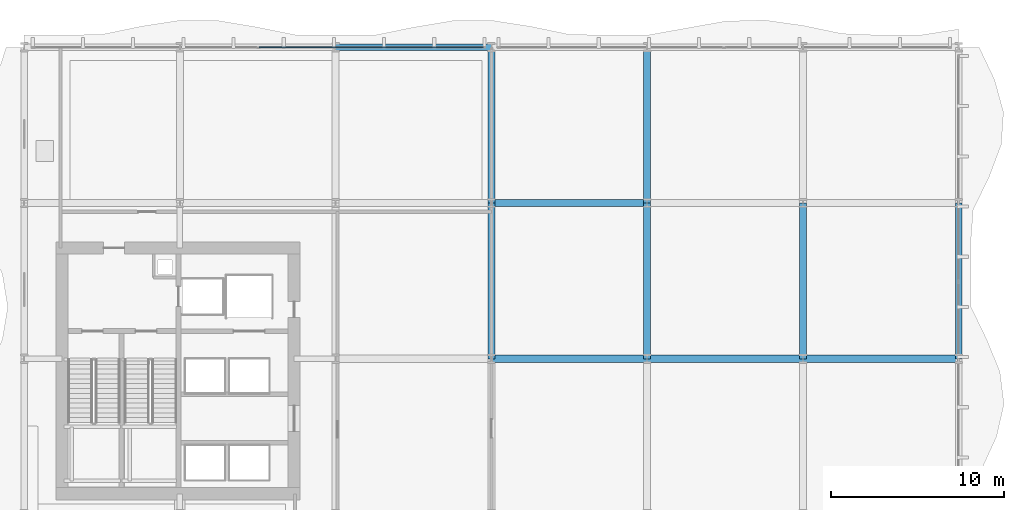
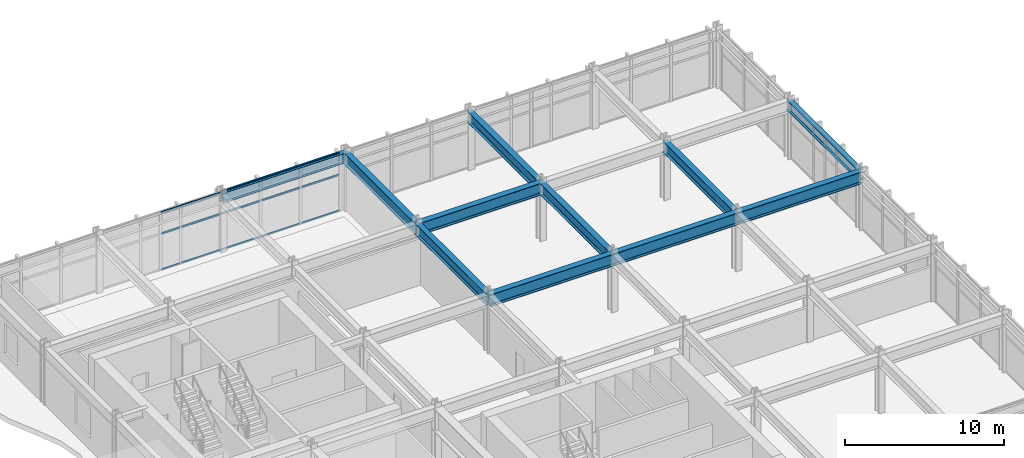
# One storey, part 16 of 31: 11 beams, 3 members, 1 element without a shape of its own.
"""IFC4 building model written with IfcOpenShell, lengths in metres."""

import ifcopenshell
import ifcopenshell.guid

model = None  # the IFC model being written
_history = None  # IfcOwnerHistory: only IFC2X3 demands one
_inside = {}  # id of a spatial element -> (the spatial element, [elements in it])
_under = {}  # id of a project, library or spatial element -> (it, [spatial elements below it])
_declared = {}  # id of a project -> (the project, [libraries it declares])
_typed = {}  # id of a type object -> (the type object, [elements of that type])
_made_of = {}  # id of a material, layer set ... -> (it, [elements and type objects made of it])


def new_model(schema):
    """Start an empty IFC model of exactly this schema.

    Asked for "IFC4X3", IfcOpenShell would pick the latest addendum, in which some entities
    have other attributes; the version numbers below select the first issue.
    IFC2X3 requires an IfcOwnerHistory on every rooted entity: one is made here for all.
    """
    global model, _history
    if schema == "IFC4X3":
        model = ifcopenshell.file(schema_version=(4, 3, 0, 0))
    else:
        model = ifcopenshell.file(schema=schema)
    _inside.clear()
    _under.clear()
    _declared.clear()
    _typed.clear()
    _made_of.clear()
    _history = None
    if model.schema == "IFC2X3":
        org = make("IfcOrganization", Name="unknown")
        user = make(
            "IfcPersonAndOrganization",
            ThePerson=make("IfcPerson", FamilyName="unknown"),
            TheOrganization=org,
        )
        app = make(
            "IfcApplication",
            ApplicationDeveloper=org,
            Version="unknown",
            ApplicationFullName="unknown",
            ApplicationIdentifier="unknown",
        )
        _history = make(
            "IfcOwnerHistory",
            OwningUser=user,
            OwningApplication=app,
            ChangeAction="ADDED",
            CreationDate=0,
        )
    return model


def make(cls, **values):
    """One entity of the class cls with the attributes given. An attribute that is None is left unset."""
    return model.create_entity(
        cls, **{name: value for name, value in values.items() if value is not None}
    )


def rooted(cls, **values):
    """An entity with a GlobalId (a new one), such as an element, a storey or a relation."""
    return make(cls, GlobalId=ifcopenshell.guid.new(), OwnerHistory=_history, **values)


def si_unit(unit_type, name, prefix=None):
    """IfcSIUnit, for example si_unit("LENGTHUNIT", "METRE", prefix="MILLI")."""
    return make("IfcSIUnit", UnitType=unit_type, Prefix=prefix, Name=name)


def assignment(units):
    """IfcUnitAssignment: the units of a project."""
    return None if units is None else make("IfcUnitAssignment", Units=units)


def point(xyz):
    """IfcCartesianPoint."""
    return None if xyz is None else make("IfcCartesianPoint", Coordinates=xyz)


def direction(xyz):
    """IfcDirection."""
    return None if xyz is None else make("IfcDirection", DirectionRatios=xyz)


def frame(location, z_axis=None, x_axis=None):
    """IfcAxis2Placement3D, a coordinate frame: its origin and axes. An axis left out is left unset."""
    return make(
        "IfcAxis2Placement3D",
        Location=point(location),
        Axis=direction(z_axis),
        RefDirection=direction(x_axis),
    )


def frame_2d(location, x_axis=None):
    """IfcAxis2Placement2D, a coordinate frame in the plane: its origin and x axis."""
    return make(
        "IfcAxis2Placement2D", Location=point(location), RefDirection=direction(x_axis)
    )


def origin():
    """The frame at (0, 0, 0) with its axes left unset."""
    return frame((0.0, 0.0, 0.0))


def origin_2d():
    """The frame at (0, 0) in the plane with its x axis left unset."""
    return frame_2d((0.0, 0.0))


def place(relative_to, where):
    """IfcLocalPlacement: puts the frame where relative to a parent placement (None: the world)."""
    return make(
        "IfcLocalPlacement", PlacementRelTo=relative_to, RelativePlacement=where
    )


def context(
    kind, dimensions, precision=None, world=None, true_north=None, identifier=None
):
    """IfcGeometricRepresentationContext, for example the 3D "Model" context."""
    return make(
        "IfcGeometricRepresentationContext",
        ContextIdentifier=identifier,
        ContextType=kind,
        CoordinateSpaceDimension=dimensions,
        Precision=precision,
        WorldCoordinateSystem=world,
        TrueNorth=true_north,
    )


def subcontext(parent, identifier, kind, view, scale=None):
    """IfcGeometricRepresentationSubContext, for example "Body" below "Model"."""
    return make(
        "IfcGeometricRepresentationSubContext",
        ContextIdentifier=identifier,
        ContextType=kind,
        ParentContext=parent,
        TargetScale=scale,
        TargetView=view,
    )


def project(units=None, contexts=None):
    """IfcProject with its units and contexts."""
    return rooted(
        "IfcProject",
        Name="project",
        RepresentationContexts=contexts,
        UnitsInContext=assignment(units),
    )


def spatial(cls, under=None, at=None, **own):
    """A site, building, storey or space (cls), placed at a placement, below another one or the project."""
    s = rooted(cls, ObjectPlacement=at, **own)
    if under is not None:
        _under.setdefault(under.id(), (under, []))[1].append(s)
    return s


def profile(cls, at=None, kind="AREA", **sizes):
    """A parametric profile (cls). Its sizes go by their IFC names, for example OverallWidth=200.0."""
    return make(cls, ProfileType=kind, Position=at, **sizes)


def hollow_rectangle(**sizes):
    """IfcRectangleHollowProfileDef."""
    return profile("IfcRectangleHollowProfileDef", **sizes)


def i_section(**sizes):
    """IfcIShapeProfileDef."""
    return profile("IfcIShapeProfileDef", **sizes)


def extrude(swept, where, along, depth):
    """IfcExtrudedAreaSolid: the profile swept, set in the frame where, extruded along a direction by depth."""
    return make(
        "IfcExtrudedAreaSolid",
        SweptArea=swept,
        Position=where,
        ExtrudedDirection=direction(along),
        Depth=depth,
    )


def shape(context_of_items, identifier, shape_type, items):
    """IfcShapeRepresentation: the items that make up one representation, for example the "Body"."""
    return make(
        "IfcShapeRepresentation",
        ContextOfItems=context_of_items,
        RepresentationIdentifier=identifier,
        RepresentationType=shape_type,
        Items=items,
    )


def material(Name=None, Category=None):
    """IfcMaterial."""
    return make("IfcMaterial", Name=Name, Category=Category)


def layer(
    of_material, thickness, ventilated=None, Name=None, Category=None, Priority=None
):
    """IfcMaterialLayer: one layer of a wall or slab, of a material (None: an air gap)."""
    return make(
        "IfcMaterialLayer",
        Material=of_material,
        LayerThickness=thickness,
        IsVentilated=ventilated,
        Name=Name,
        Category=Category,
        Priority=Priority,
    )


def layer_set(layers, Name=None):
    """IfcMaterialLayerSet."""
    return make("IfcMaterialLayerSet", MaterialLayers=layers, LayerSetName=Name)


def material_profile(
    of_material, cross_section, Name=None, Category=None, Priority=None
):
    """IfcMaterialProfile: a cross section and its material."""
    return make(
        "IfcMaterialProfile",
        Name=Name,
        Material=of_material,
        Profile=cross_section,
        Priority=Priority,
        Category=Category,
    )


def profile_set(profiles, Name=None, composite=None):
    """IfcMaterialProfileSet."""
    return make(
        "IfcMaterialProfileSet",
        Name=Name,
        MaterialProfiles=profiles,
        CompositeProfile=composite,
    )


def made_of(thing, what):
    """Note that an element or type object is made of a material, layer set ...; save() writes the relation."""
    if what is not None:
        _made_of.setdefault(what.id(), (what, []))[1].append(thing)
    return thing


def type_object(cls, material=None, **own):
    """A type object (cls), such as IfcWallType, which elements share."""
    return made_of(rooted(cls, **own), material)


def element(
    cls,
    number,
    at=None,
    inside=None,
    cuts=None,
    type_object=None,
    material=None,
    context=None,
    identifier="Body",
    shape_type=None,
    held_by="IfcProductDefinitionShape",
    body=None,
    shapes=None,
    **own,
):
    """One element of the class cls, such as IfcWall. Its Tag is "e" and its number.

    at: its placement. inside: the storey or other place that contains it. cuts: it is an
    opening in that element (IfcRelVoidsElement). A single representation is given by context,
    identifier, shape_type and body (its items); several are given by shapes. held_by: the class
    of the entity that holds the representations. save() writes the other relations.
    """
    e = rooted(cls, Tag="e%d" % number, ObjectPlacement=at, **own)
    if body is not None:
        shapes = [shape(context, identifier, shape_type, body)]
    if shapes is not None:
        e.Representation = make(held_by, Representations=shapes)
    if inside is not None:
        _inside.setdefault(inside.id(), (inside, []))[1].append(e)
    if cuts is not None:
        rooted(
            "IfcRelVoidsElement", RelatingBuildingElement=cuts, RelatedOpeningElement=e
        )
    if type_object is not None:
        _typed.setdefault(type_object.id(), (type_object, []))[1].append(e)
    return made_of(e, material)


def aggregate(whole, parts):
    """IfcRelAggregates: a whole, such as a stair, and the parts it consists of."""
    return rooted("IfcRelAggregates", RelatingObject=whole, RelatedObjects=parts)


def save(model, path):
    """Write the relations noted so far, then the file.

    IfcRelAggregates (storeys below a building ...), IfcRelContainedInSpatialStructure (elements
    in a storey), IfcRelDefinesByType, IfcRelAssociatesMaterial and IfcRelDeclares: one each for
    every whole, place, type object, material and project.
    """
    for whole, parts in _under.values():
        aggregate(whole, parts)
    for where, things in _inside.values():
        rooted(
            "IfcRelContainedInSpatialStructure",
            RelatedElements=things,
            RelatingStructure=where,
        )
    for kind, things in _typed.values():
        rooted("IfcRelDefinesByType", RelatedObjects=things, RelatingType=kind)
    for what, things in _made_of.values():
        rooted("IfcRelAssociatesMaterial", RelatedObjects=things, RelatingMaterial=what)
    for by, libraries in _declared.values():
        rooted("IfcRelDeclares", RelatingContext=by, RelatedDefinitions=libraries)
    model.write(path)


model = new_model("IFC4")

# Units and contexts
model_context = context("Model", 3, precision=1e-05, world=origin(), true_north=direction((0.0, 1.0)))
body_context = subcontext(model_context, "Body", "Model", "MODEL_VIEW")
ifc_project = project(units=[si_unit("LENGTHUNIT", "METRE"), si_unit("AREAUNIT", "SQUARE_METRE"), si_unit("VOLUMEUNIT", "CUBIC_METRE"), si_unit("PLANEANGLEUNIT", "RADIAN"), si_unit("MASSUNIT", "GRAM", prefix="KILO")], contexts=[model_context])

# Site, building, storey
site_placement = place(None, origin())
site = spatial("IfcSite", under=ifc_project, at=site_placement, CompositionType="ELEMENT")
building_placement = place(site_placement, origin())
building = spatial("IfcBuilding", under=site, at=building_placement, Name="Solvaryn Broadcast Tower", CompositionType="ELEMENT")
storey_placement = place(building_placement, frame((0.0, 0.0, 26.0)))
storey = spatial("IfcBuildingStorey", under=building, at=storey_placement, Name="L05", CompositionType="ELEMENT", Elevation=26.0)

# Beams
ifc_material_1 = material(Name="Steel ASTM A992 Grade 50", Category="steel")
ifc_material_profile_1 = material_profile(ifc_material_1, i_section(OverallWidth=0.41796875, OverallDepth=0.927001953125, WebThickness=0.019287109375, FlangeThickness=0.031982421875, FilletRadius=0.02392578125, at=origin_2d()))
ifc_profile_set_1 = profile_set([ifc_material_profile_1], Name="Steel ASTM A992 Grade 50")
beam_type_1 = type_object("IfcBeamType", Name="BM-G2-W36X231", PredefinedType="BEAM", material=ifc_profile_set_1)
for number, where, z_axis, x_axis, name in (
    (1, (36.0, 36.0, 3.9765625), (1.0, 0.0, 0.0), (0.0, 1.0, 0.0), "L05 Primary Beam X (36-45 @ Y=36)"),
    (2, (45.0, 36.0, 3.9765625), (1.0, 0.0, 0.0), (0.0, 1.0, 0.0), "L05 Primary Beam X (45-54 @ Y=36)"),
    (3, (54.0, 36.0, 3.9765625), (1.0, 0.0, 0.0), (0.0, 1.0, 0.0), "L05 Primary Beam X (54-63 @ Y=36)"),
    (4, (36.0, 45.0, 3.9765625), (1.0, 0.0, 0.0), (0.0, 1.0, 0.0), "L05 Primary Beam X (36-45 @ Y=45)"),
):
    element("IfcBeam", number, at=place(storey_placement, frame(where, z_axis=z_axis, x_axis=x_axis)), inside=storey, type_object=beam_type_1, Name=name, PredefinedType="BEAM", context=body_context, shape_type="SweptSolid", body=[
        extrude(i_section(OverallWidth=0.41796875, OverallDepth=0.927001953125, WebThickness=0.019287109375, FlangeThickness=0.031982421875, FilletRadius=0.02392578125, at=origin_2d()), origin(), (0.0, 0.0, 1.0), 9.0),
    ])
ifc_material_2 = material(Name="Steel ASTM A992 Grade 50", Category="steel")
ifc_material_profile_2 = material_profile(ifc_material_2, i_section(OverallWidth=0.39990234375, OverallDepth=0.85498046875, WebThickness=0.018310546875, FlangeThickness=0.029296875, FilletRadius=0.02001953125, at=origin_2d()))
ifc_profile_set_2 = profile_set([ifc_material_profile_2], Name="Steel ASTM A992 Grade 50")
beam_type_2 = type_object("IfcBeamType", Name="BM-G3-W33X201", PredefinedType="BEAM", material=ifc_profile_set_2)
for number, where, z_axis, x_axis, name in (
    (5, (36.0, 36.0, 4.012451171875), (0.0, 1.0, 0.0), (-1.0, 0.0, 0.0), "L05 Primary Beam Y (36-45 @ X=36)"),
    (6, (36.0, 45.0, 4.012451171875), (0.0, 1.0, 0.0), (-1.0, 0.0, 0.0), "L05 Primary Beam Y (45-54 @ X=36)"),
    (7, (45.0, 36.0, 4.012451171875), (0.0, 1.0, 0.0), (-1.0, 0.0, 0.0), "L05 Primary Beam Y (36-45 @ X=45)"),
    (8, (45.0, 45.0, 4.012451171875), (0.0, 1.0, 0.0), (-1.0, 0.0, 0.0), "L05 Primary Beam Y (45-54 @ X=45)"),
    (9, (54.0, 36.0, 4.012451171875), (0.0, 1.0, 0.0), (-1.0, 0.0, 0.0), "L05 Primary Beam Y (36-45 @ X=54)"),
):
    element("IfcBeam", number, at=place(storey_placement, frame(where, z_axis=z_axis, x_axis=x_axis)), inside=storey, type_object=beam_type_2, Name=name, PredefinedType="BEAM", context=body_context, shape_type="SweptSolid", body=[
        extrude(i_section(OverallWidth=0.39990234375, OverallDepth=0.85498046875, WebThickness=0.018310546875, FlangeThickness=0.029296875, FilletRadius=0.02001953125, at=origin_2d()), origin(), (0.0, 0.0, 1.0), 9.0),
    ])
ifc_material_3 = material(Name="Steel ASTM A992 Grade 50", Category="steel")
ifc_material_profile_3 = material_profile(ifc_material_3, i_section(OverallWidth=0.381103515625, OverallDepth=0.77294921875, WebThickness=0.0166015625, FlangeThickness=0.027099609375, FilletRadius=0.01806640625, at=origin_2d()))
ifc_profile_set_3 = profile_set([ifc_material_profile_3], Name="Steel ASTM A992 Grade 50")
beam_type_3 = type_object("IfcBeamType", Name="BM-SP1-W30X173", PredefinedType="USERDEFINED", material=ifc_profile_set_3)
for number, where, z_axis, x_axis, name in (
    (10, (27.0, 54.0, 4.053466796875), (1.0, 0.0, 0.0), (0.0, 1.0, 0.0), "L05 Spandrel Beam X (27-36 @ Y=54)"),
    (11, (63.0, 36.0, 4.053466796875), (0.0, 1.0, 0.0), (-1.0, 0.0, 0.0), "L05 Spandrel Beam Y (36-45 @ X=63)"),
):
    element("IfcBeam", number, at=place(storey_placement, frame(where, z_axis=z_axis, x_axis=x_axis)), inside=storey, type_object=beam_type_3, Name=name, ObjectType="SPANDREL", PredefinedType="USERDEFINED", context=body_context, shape_type="SweptSolid", body=[
        extrude(i_section(OverallWidth=0.381103515625, OverallDepth=0.77294921875, WebThickness=0.0166015625, FlangeThickness=0.027099609375, FilletRadius=0.01806640625, at=origin_2d()), origin(), (0.0, 0.0, 1.0), 9.0),
    ])

# Curtain wall, members
ifc_material_4 = material(Name="Aluminium and Terracotta Unitised Curtain Wall", Category="masonry")
ifc_layer = layer(ifc_material_4, 0.219970703125)
ifc_layer_set = layer_set([ifc_layer], Name="CW-SYS1-PODIUM")
curtain_wall_type = type_object("IfcCurtainWallType", Name="CW-SYS1-PODIUM", PredefinedType="NOTDEFINED", material=ifc_layer_set)
curtain_wall_placement = place(storey_placement, origin())
curtain_wall = element("IfcCurtainWall", 12, at=curtain_wall_placement, inside=storey, type_object=curtain_wall_type, Name="L05 Podium Curtain Wall N1", PredefinedType="NOTDEFINED")
ifc_material_5 = material(Name="Anodised Aluminium 6063-T6", Category="aluminium")
ifc_material_profile_4 = material_profile(ifc_material_5, hollow_rectangle(XDim=0.06494140625, YDim=0.14990234375, WallThickness=0.00390625, InnerFilletRadius=0.00390625, OuterFilletRadius=0.008056640625, at=origin_2d()))
ifc_profile_set_4 = profile_set([ifc_material_profile_4], Name="Anodised Aluminium 6063-T6")
member_type = type_object("IfcMemberType", Name="CW-TRN-150", PredefinedType="USERDEFINED", material=ifc_profile_set_4)
member_1_placement = place(storey_placement, frame((22.580078125, 54.0, 0.030029296875), z_axis=(1.0, 0.0, 0.0), x_axis=(0.0, 1.0, 0.0)))
member_1 = element("IfcMember", 13, at=member_1_placement, type_object=member_type, Name="CWS1 transom 2.1", ObjectType="TRANSOM", PredefinedType="USERDEFINED", context=body_context, shape_type="SweptSolid", body=[
    extrude(hollow_rectangle(XDim=0.06494140625, YDim=0.14990234375, WallThickness=0.00390625, InnerFilletRadius=0.00390625, OuterFilletRadius=0.008056640625, at=origin_2d()), origin(), (0.0, 0.0, 1.0), 12.9599609375),
])
member_2_placement = place(storey_placement, frame((22.580078125, 54.0, 2.800048828125), z_axis=(1.0, 0.0, 0.0), x_axis=(0.0, 1.0, 0.0)))
member_2 = element("IfcMember", 14, at=member_2_placement, type_object=member_type, Name="CWS1 transom 2.2", ObjectType="TRANSOM", PredefinedType="USERDEFINED", context=body_context, shape_type="SweptSolid", body=[
    extrude(hollow_rectangle(XDim=0.06494140625, YDim=0.14990234375, WallThickness=0.00390625, InnerFilletRadius=0.00390625, OuterFilletRadius=0.008056640625, at=origin_2d()), origin(), (0.0, 0.0, 1.0), 12.9599609375),
])
member_3_placement = place(storey_placement, frame((22.580078125, 54.0, 4.409912109375), z_axis=(1.0, 0.0, 0.0), x_axis=(0.0, 1.0, 0.0)))
member_3 = element("IfcMember", 15, at=member_3_placement, type_object=member_type, Name="CWS1 transom 2.3", ObjectType="TRANSOM", PredefinedType="USERDEFINED", context=body_context, shape_type="SweptSolid", body=[
    extrude(hollow_rectangle(XDim=0.06494140625, YDim=0.14990234375, WallThickness=0.00390625, InnerFilletRadius=0.00390625, OuterFilletRadius=0.008056640625, at=origin_2d()), origin(), (0.0, 0.0, 1.0), 12.9599609375),
])
aggregate(curtain_wall, [member_1, member_2, member_3])

save(model, "model.ifc")
